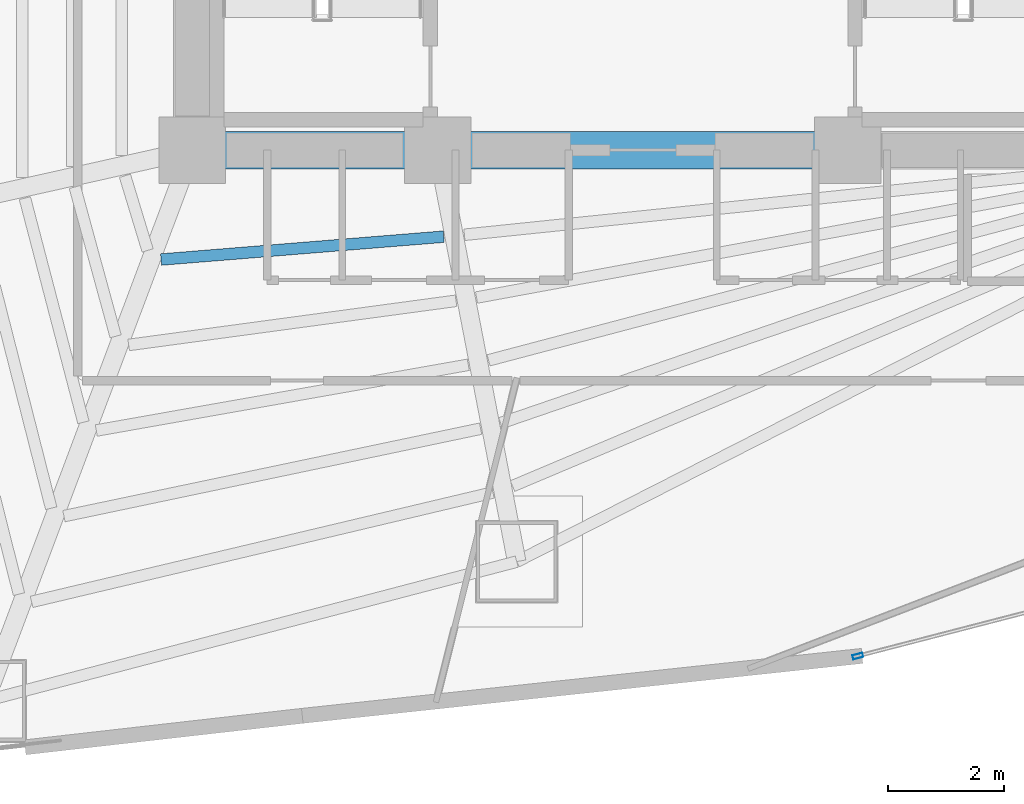
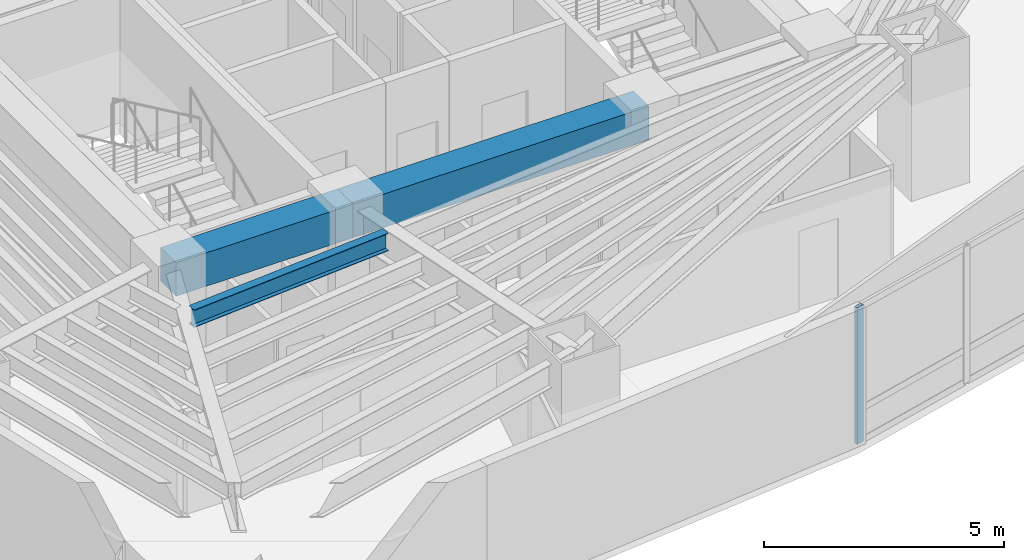
# One storey, part 4 of 20: 3 beams, 1 member, 1 element without a shape of its own.
"""IFC4 building model written with IfcOpenShell, lengths in metres."""

from ifc_helpers import new_model, si_unit, direction, frame, origin, origin_2d, place, context, subcontext, project, spatial, rectangle, hollow_rectangle, i_section, extrude, material, layer, layer_set, material_profile, profile_set, type_object, element, aggregate, save


model = new_model("IFC4")

# Units and contexts
model_context = context("Model", 3, precision=1e-05, world=origin(), true_north=direction((0.0, 1.0)))
body_context = subcontext(model_context, "Body", "Model", "MODEL_VIEW")
ifc_project = project(units=[si_unit("LENGTHUNIT", "METRE"), si_unit("AREAUNIT", "SQUARE_METRE"), si_unit("VOLUMEUNIT", "CUBIC_METRE"), si_unit("PLANEANGLEUNIT", "RADIAN"), si_unit("MASSUNIT", "GRAM", prefix="KILO")], contexts=[model_context])

# Site, building, storey
site_placement = place(None, origin())
site = spatial("IfcSite", under=ifc_project, at=site_placement, CompositionType="ELEMENT")
building_placement = place(site_placement, origin())
building = spatial("IfcBuilding", under=site, at=building_placement, Name="Menara Vayukalpa", CompositionType="ELEMENT")
storey_placement = place(building_placement, frame((0.0, 0.0, 57.360107421875)))
storey = spatial("IfcBuildingStorey", under=building, at=storey_placement, Name="L13", CompositionType="ELEMENT", Elevation=57.360107421875)

# Beams
ifc_material_1 = material(Name="Concrete C60/75", Category="concrete")
ifc_material_profile_1 = material_profile(ifc_material_1, rectangle(XDim=0.64990234375, YDim=0.85009765625, at=origin_2d()), Name="RC 650x850")
ifc_profile_set_1 = profile_set([ifc_material_profile_1], Name="Concrete C60/75")
beam_type_1 = type_object("IfcBeamType", Name="BM-CB1", PredefinedType="BEAM", material=ifc_profile_set_1)
beam_1_placement = place(storey_placement, frame((17.800048828125, 17.199951171875, 3.044921875), z_axis=(1.0, 0.0, 0.0), x_axis=(0.0, 1.0, 0.0)))
element("IfcBeam", 1, at=beam_1_placement, inside=storey, type_object=beam_type_1, Name="L13 Core Tie Beam CBR1", PredefinedType="BEAM", context=body_context, shape_type="SweptSolid", body=[
    extrude(rectangle(XDim=0.64990234375, YDim=0.85009765625, at=origin_2d()), origin(), (0.0, 0.0, 1.0), 4.25),
])
beam_2_placement = place(storey_placement, frame((22.050048828125, 17.199951171875, 3.044921875), z_axis=(1.0, 0.0, 0.0), x_axis=(0.0, 1.0, 0.0)))
element("IfcBeam", 2, at=beam_2_placement, inside=storey, type_object=beam_type_1, Name="L13 Core Tie Beam CBR2", PredefinedType="BEAM", context=body_context, shape_type="SweptSolid", body=[
    extrude(rectangle(XDim=0.64990234375, YDim=0.85009765625, at=origin_2d()), origin(), (0.0, 0.0, 1.0), 7.099853515625),
])
ifc_material_2 = material(Name="Steel S355", Category="steel")
ifc_material_profile_2 = material_profile(ifc_material_2, i_section(OverallWidth=0.199951171875, OverallDepth=0.449951171875, WebThickness=0.009033203125, FlangeThickness=0.013916015625, at=origin_2d()), Name="WF 450x200x9x14")
ifc_profile_set_2 = profile_set([ifc_material_profile_2], Name="Steel S355")
beam_type_2 = type_object("IfcBeamType", Name="BM-SJ1", PredefinedType="JOIST", material=ifc_profile_set_2)
beam_3_placement = place(storey_placement, frame((17.262451171875, 15.306396484375, 3.244873046875), z_axis=(0.996745483939, 0.08061290373, 0.0), x_axis=(-0.08061290373, 0.996745483939, 0.0)))
element("IfcBeam", 3, at=beam_3_placement, inside=storey, type_object=beam_type_2, Name="L13 Secondary Floor Joist SJ07-1", PredefinedType="JOIST", context=body_context, shape_type="SweptSolid", body=[
    extrude(i_section(OverallWidth=0.199951171875, OverallDepth=0.449951171875, WebThickness=0.009033203125, FlangeThickness=0.013916015625, at=origin_2d()), origin(), (0.0, 0.0, 1.0), 4.9091796875),
])

# Curtain wall, member
ifc_material_3 = material(Name="Anodised Terracotta Aluminium Alloy 6063-T6", Category="masonry")
ifc_layer = layer(ifc_material_3, 0.179931640625)
ifc_layer_set = layer_set([ifc_layer], Name="Anodised Terracotta Aluminium Alloy 6063-T6")
curtain_wall_type = type_object("IfcCurtainWallType", Name="CW-CW4", PredefinedType="USERDEFINED", material=ifc_layer_set)
curtain_wall_placement = place(storey_placement, origin())
curtain_wall = element("IfcCurtainWall", 4, at=curtain_wall_placement, inside=storey, type_object=curtain_wall_type, Name="L13 Sky Bar Cantilever Glazed Curtain Wall CW4 16", ObjectType="UNITISED", PredefinedType="USERDEFINED")
ifc_material_4 = material(Name="Anodised Terracotta Aluminium Alloy 6063-T6", Category="masonry")
ifc_material_profile_3 = material_profile(ifc_material_4, hollow_rectangle(XDim=0.074951171875, YDim=0.179931640625, WallThickness=0.00390625, at=origin_2d()), Name="ALU 75x180x4")
ifc_profile_set_3 = profile_set([ifc_material_profile_3], Name="Anodised Terracotta Aluminium Alloy 6063-T6")
member_type = type_object("IfcMemberType", Name="CWM-CW4", PredefinedType="MULLION", material=ifc_profile_set_3)
member_placement = place(storey_placement, frame((29.324462890625, 8.44140625, 0.0), z_axis=(0.0, 0.0, 1.0), x_axis=(-0.25040286747, 0.968141727209, 0.0)))
member = element("IfcMember", 5, at=member_placement, type_object=member_type, Name="CW4 mullion 1", PredefinedType="MULLION", context=body_context, shape_type="SweptSolid", body=[
    extrude(hollow_rectangle(XDim=0.074951171875, YDim=0.179931640625, WallThickness=0.00390625, at=origin_2d()), origin(), (0.0, 0.0, 1.0), 3.469970703125),
])
aggregate(curtain_wall, [member])

save(model, "model.ifc")
